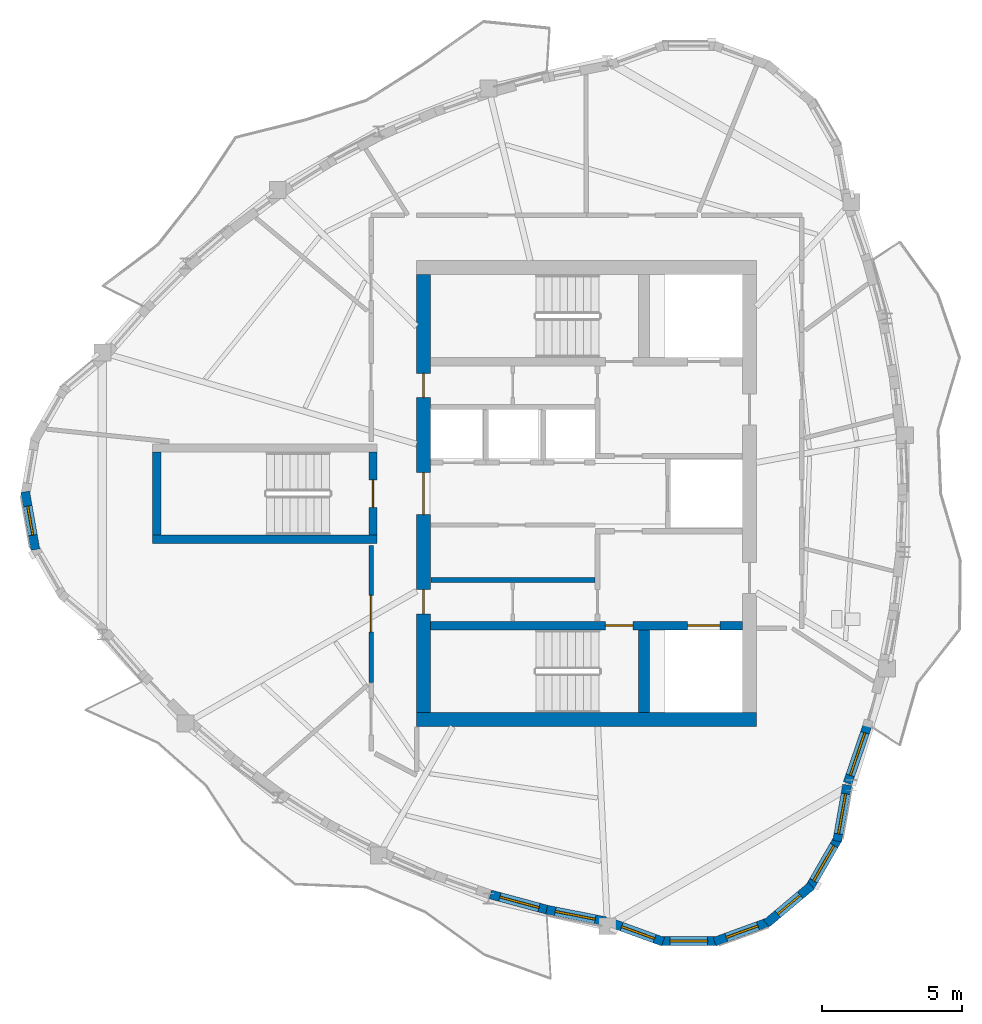
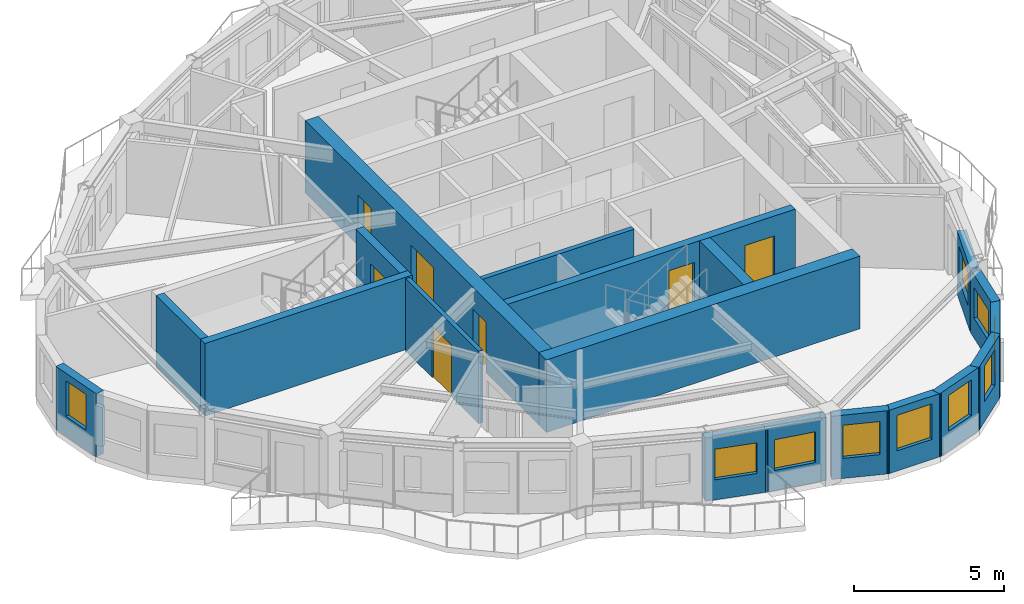
# One storey, part 3 of 11: 19 walls, 10 windows, 7 doors, 17 openings.
"""IFC4 building model written with IfcOpenShell, lengths in metres."""

from ifc_helpers import new_model, si_unit, direction, frame, frame_2d, origin, place, context, subcontext, project, spatial, rectangle, extrude, source, transform, mapped, material, layer, layer_set, type_object, element, fill, save


model = new_model("IFC4")

# Units and contexts
model_context = context("Model", 3, precision=1e-05, world=origin(), true_north=direction((0.0, 1.0)))
body_context = subcontext(model_context, "Body", "Model", "MODEL_VIEW")
ifc_project = project(units=[si_unit("LENGTHUNIT", "METRE"), si_unit("AREAUNIT", "SQUARE_METRE"), si_unit("VOLUMEUNIT", "CUBIC_METRE"), si_unit("PLANEANGLEUNIT", "RADIAN"), si_unit("MASSUNIT", "GRAM", prefix="KILO")], contexts=[model_context])

# Site, building, storey
site_placement = place(None, origin())
site = spatial("IfcSite", under=ifc_project, at=site_placement, CompositionType="ELEMENT")
building_placement = place(site_placement, origin())
building = spatial("IfcBuilding", under=site, at=building_placement, Name="Qafzar Sky-Pleat Residences", CompositionType="ELEMENT")
storey_placement = place(building_placement, frame((0.0, 0.0, 234.0)))
storey = spatial("IfcBuildingStorey", under=building, at=storey_placement, Name="L70", CompositionType="ELEMENT", Elevation=234.0)

# Wall, opening, door
ifc_material_1 = material(Name="Acoustic gypsum plasterboard partition", Category="gypsum")
ifc_layer_1 = layer(ifc_material_1, 0.159912109375)
ifc_layer_set_1 = layer_set([ifc_layer_1], Name="Acoustic gypsum plasterboard partition")
wall_type_1 = type_object("IfcWallType", Name="PART-COR-160", PredefinedType="PARTITIONING", material=ifc_layer_set_1)
wall_1_placement = place(storey_placement, frame((22.679931640625, 19.27099609375, 0.0), z_axis=(0.0, 0.0, 1.0), x_axis=(0.0, 1.0, 0.0)))
wall_1 = element("IfcWall", 1, at=wall_1_placement, inside=storey, type_object=wall_type_1, Name="L70 Partition Wall PART-L70-PW-002", PredefinedType="PARTITIONING", context=body_context, shape_type="SweptSolid", body=[
    extrude(rectangle(XDim=4.87890625, YDim=0.159912109375, at=frame_2d((2.439453125, 0.0))), origin(), (0.0, 0.0, 1.0), 2.9599609375),
])
opening_1_placement = place(wall_1_placement, frame((1.8076171875, 0.0, 0.0)))
opening_1 = element("IfcOpeningElement", 2, at=opening_1_placement, cuts=wall_1, Name="Opening ID-05", PredefinedType="OPENING", context=body_context, shape_type="SweptSolid", body=[
    extrude(rectangle(XDim=1.300048828125, YDim=2.10009765625, at=frame_2d((0.64990234375, 1.050048828125))), frame((0.0, 0.08984375, 0.0), z_axis=(0.0, -1.0, 0.0), x_axis=(1.0, 0.0, 0.0)), (0.0, 0.0, 1.0), 0.179931640625),
])
ifc_material_2 = material(Name="Timber-faced fire door", Category="wood")
door_type_1 = type_object("IfcDoorType", Name="DR-LNG-1300", OperationType="DOUBLE_DOOR_SINGLE_SWING", PredefinedType="DOOR", material=ifc_material_2)
shared_shape_1 = source(origin(), body_context, "Body", "SweptSolid", [
    extrude(rectangle(XDim=1.300048828125, YDim=2.10009765625, at=frame_2d((0.64990234375, 1.050048828125))), frame((0.0, 0.02490234375, 0.0), z_axis=(0.0, -1.0, 0.0), x_axis=(1.0, 0.0, 0.0)), (0.0, 0.0, 1.0), 0.050048828125),
])
door_1_placement = place(opening_1_placement, origin())
door_1 = element("IfcDoor", 3, at=door_1_placement, inside=storey, type_object=door_type_1, Name="L70 Tutorial Huddle Room Door", OperationType="DOUBLE_DOOR_SINGLE_SWING", OverallHeight=2.10009765625, OverallWidth=1.300048828125, PredefinedType="DOOR", context=body_context, shape_type="MappedRepresentation", body=[
    mapped(shared_shape_1, transform((0.0, 0.0, 0.0), x_axis=(1.0, 0.0, 0.0), y_axis=(0.0, 1.0, 0.0), z_axis=(0.0, 0.0, 1.0), scale=1.0)),
])
fill(opening_1, door_1)

# Wall
ifc_material_3 = material(Name="Concrete blockwork partition", Category="masonry")
ifc_layer_2 = layer(ifc_material_3, 0.179931640625)
ifc_layer_set_2 = layer_set([ifc_layer_2], Name="Concrete blockwork partition")
wall_type_2 = type_object("IfcWallType", Name="PART-SHAFT-180", PredefinedType="PARTITIONING", material=ifc_layer_set_2)
wall_2_placement = place(storey_placement, frame((24.81005859375, 22.919921875, 0.0), z_axis=(0.0, 0.0, 1.0), x_axis=(1.0, 0.0, 0.0)))
element("IfcWall", 4, at=wall_2_placement, inside=storey, type_object=wall_type_2, Name="L70 Partition Wall PART-L70-P13-S", PredefinedType="PARTITIONING", context=body_context, shape_type="SweptSolid", body=[
    extrude(rectangle(XDim=5.83984375, YDim=0.179931640625, at=frame_2d((2.919921875, 0.0))), origin(), (0.0, 0.0, 1.0), 2.9599609375),
])

# Wall, opening, window
ifc_material_4 = material(Name="Precast concrete C40/50 with honed Riyadh limestone", Category="concrete")
ifc_layer_3 = layer(ifc_material_4, 0.320068359375)
ifc_layer_set_3 = layer_set([ifc_layer_3], Name="Precast concrete C40/50 with honed Riyadh limestone")
wall_type_3 = type_object("IfcWallType", Name="WALL-EXT-320", PredefinedType="SOLIDWALL", material=ifc_layer_set_3)
wall_3_placement = place(storey_placement, frame((10.361083984375, 26.065185546875, 0.0), z_axis=(0.0, 0.0, 1.0), x_axis=(0.173672066494, -0.984803540469, 0.0)))
wall_3 = element("IfcWall", 5, at=wall_3_placement, inside=storey, type_object=wall_type_3, Name="L70 Limestone Facade Wall 4", PredefinedType="SOLIDWALL", context=body_context, shape_type="SweptSolid", body=[
    extrude(rectangle(XDim=2.09033203125, YDim=0.320068359375, at=frame_2d((1.045166015625, 0.0))), origin(), (0.0, 0.0, 1.0), 2.580078125),
])
opening_2_placement = place(wall_3_placement, frame((0.520263671875, 0.0, 0.820068359375)))
opening_2 = element("IfcOpeningElement", 6, at=opening_2_placement, cuts=wall_3, Name="Opening WN-06", PredefinedType="OPENING", context=body_context, shape_type="SweptSolid", body=[
    extrude(rectangle(XDim=1.050048828125, YDim=1.449951171875, at=frame_2d((0.52490234375, 0.72509765625))), frame((0.0, 0.169921875, 0.0), z_axis=(0.0, -1.0, 0.0), x_axis=(1.0, 0.0, 0.0)), (0.0, 0.0, 1.0), 0.340087890625),
])
ifc_material_5 = material(Name="Solar-control low-E glass in bronze aluminium frame", Category="glass")
window_type_1 = type_object("IfcWindowType", Name="WIN-06", PartitioningType="SINGLE_PANEL", PredefinedType="WINDOW", material=ifc_material_5)
shared_shape_2 = source(origin(), body_context, "Body", "SweptSolid", [
    extrude(rectangle(XDim=1.050048828125, YDim=1.449951171875, at=frame_2d((0.52490234375, 0.72509765625))), frame((0.0, 0.030029296875, 0.0), z_axis=(0.0, -1.0, 0.0), x_axis=(1.0, 0.0, 0.0)), (0.0, 0.0, 1.0), 0.06005859375),
])
window_1_placement = place(opening_2_placement, origin())
window_1 = element("IfcWindow", 7, at=window_1_placement, inside=storey, type_object=window_type_1, Name="L70 Punched Facade Window 04", OverallHeight=1.449951171875, OverallWidth=1.050048828125, PartitioningType="SINGLE_PANEL", PredefinedType="WINDOW", context=body_context, shape_type="MappedRepresentation", body=[
    mapped(shared_shape_2, transform((0.0, 0.0, 0.0), x_axis=(1.0, 0.0, 0.0), y_axis=(0.0, 1.0, 0.0), z_axis=(0.0, 0.0, 1.0), scale=1.0)),
])
fill(opening_2, window_1)

wall_4_placement = place(storey_placement, frame((26.927734375, 11.725830078125, 0.0), z_axis=(0.0, 0.0, 1.0), x_axis=(0.965475284531, -0.260494673572, 0.0)))
wall_4 = element("IfcWall", 8, at=wall_4_placement, inside=storey, type_object=wall_type_3, Name="L70 Limestone Facade Wall 15", PredefinedType="SOLIDWALL", context=body_context, shape_type="SweptSolid", body=[
    extrude(rectangle(XDim=2.166748046875, YDim=0.320068359375, at=frame_2d((1.08349609375, 0.0))), origin(), (0.0, 0.0, 1.0), 2.580078125),
])
opening_3_placement = place(wall_4_placement, frame((0.348388671875, 0.0, 0.820068359375)))
opening_3 = element("IfcOpeningElement", 9, at=opening_3_placement, cuts=wall_4, Name="Opening WN-15", PredefinedType="OPENING", context=body_context, shape_type="SweptSolid", body=[
    extrude(rectangle(XDim=1.449951171875, YDim=1.25, at=frame_2d((0.72509765625, 0.625))), frame((0.0, 0.169921875, 0.0), z_axis=(0.0, -1.0, 0.0), x_axis=(1.0, 0.0, 0.0)), (0.0, 0.0, 1.0), 0.340087890625),
])
window_type_2 = type_object("IfcWindowType", Name="WIN-15", PartitioningType="SINGLE_PANEL", PredefinedType="WINDOW", material=ifc_material_5)
shared_shape_3 = source(origin(), body_context, "Body", "SweptSolid", [
    extrude(rectangle(XDim=1.449951171875, YDim=1.25, at=frame_2d((0.72509765625, 0.625))), frame((0.0, 0.030029296875, 0.0), z_axis=(0.0, -1.0, 0.0), x_axis=(1.0, 0.0, 0.0)), (0.0, 0.0, 1.0), 0.06005859375),
])
window_2_placement = place(opening_3_placement, origin())
window_2 = element("IfcWindow", 10, at=window_2_placement, inside=storey, type_object=window_type_2, Name="L70 Punched Facade Window 15", OverallHeight=1.25, OverallWidth=1.449951171875, PartitioningType="SINGLE_PANEL", PredefinedType="WINDOW", context=body_context, shape_type="MappedRepresentation", body=[
    mapped(shared_shape_3, transform((0.0, 0.0, 0.0), x_axis=(1.0, 0.0, 0.0), y_axis=(0.0, 1.0, 0.0), z_axis=(0.0, 0.0, 1.0), scale=1.0)),
])
fill(opening_3, window_2)

wall_5_placement = place(storey_placement, frame((28.93505859375, 11.180908203125, 0.0), z_axis=(0.0, 0.0, 1.0), x_axis=(0.981241123534, -0.192784484559, 0.0)))
wall_5 = element("IfcWall", 11, at=wall_5_placement, inside=storey, type_object=wall_type_3, Name="L70 Limestone Facade Wall 16", PredefinedType="SOLIDWALL", context=body_context, shape_type="SweptSolid", body=[
    extrude(rectangle(XDim=2.142822265625, YDim=0.320068359375, at=frame_2d((1.0712890625, 0.0))), origin(), (0.0, 0.0, 1.0), 2.580078125),
])
opening_4_placement = place(wall_5_placement, frame((0.311279296875, 0.0, 0.820068359375)))
opening_4 = element("IfcOpeningElement", 12, at=opening_4_placement, cuts=wall_5, Name="Opening WN-15", PredefinedType="OPENING", context=body_context, shape_type="SweptSolid", body=[
    extrude(rectangle(XDim=1.449951171875, YDim=1.25, at=frame_2d((0.72509765625, 0.625))), frame((0.0, 0.169921875, 0.0), z_axis=(0.0, -1.0, 0.0), x_axis=(1.0, 0.0, 0.0)), (0.0, 0.0, 1.0), 0.340087890625),
])
window_3_placement = place(opening_4_placement, origin())
window_3 = element("IfcWindow", 13, at=window_3_placement, inside=storey, type_object=window_type_2, Name="L70 Punched Facade Window 16", OverallHeight=1.25, OverallWidth=1.449951171875, PartitioningType="SINGLE_PANEL", PredefinedType="WINDOW", context=body_context, shape_type="MappedRepresentation", body=[
    mapped(shared_shape_3, transform((0.0, 0.0, 0.0), x_axis=(1.0, 0.0, 0.0), y_axis=(0.0, 1.0, 0.0), z_axis=(0.0, 0.0, 1.0), scale=1.0)),
])
fill(opening_4, window_3)

wall_6_placement = place(storey_placement, frame((31.234375, 10.712890625, 0.0), z_axis=(0.0, 0.0, 1.0), x_axis=(0.939720740429, -0.341942875357, 0.0)))
wall_6 = element("IfcWall", 14, at=wall_6_placement, inside=storey, type_object=wall_type_3, Name="L70 Limestone Facade Wall 17", PredefinedType="SOLIDWALL", context=body_context, shape_type="SweptSolid", body=[
    extrude(rectangle(XDim=1.9619140625, YDim=0.320068359375, at=frame_2d((0.98095703125, 0.0))), origin(), (0.0, 0.0, 1.0), 2.580078125),
])
opening_5_placement = place(wall_6_placement, frame((0.39111328125, 0.0, 0.820068359375)))
opening_5 = element("IfcOpeningElement", 15, at=opening_5_placement, cuts=wall_6, Name="Opening WN-11", PredefinedType="OPENING", context=body_context, shape_type="SweptSolid", body=[
    extrude(rectangle(XDim=1.25, YDim=1.35009765625, at=frame_2d((0.625, 0.675048828125))), frame((0.0, 0.169921875, 0.0), z_axis=(0.0, -1.0, 0.0), x_axis=(1.0, 0.0, 0.0)), (0.0, 0.0, 1.0), 0.340087890625),
])
window_type_3 = type_object("IfcWindowType", Name="WIN-11", PartitioningType="SINGLE_PANEL", PredefinedType="WINDOW", material=ifc_material_5)
shared_shape_4 = source(origin(), body_context, "Body", "SweptSolid", [
    extrude(rectangle(XDim=1.25, YDim=1.35009765625, at=frame_2d((0.625, 0.675048828125))), frame((0.0, 0.030029296875, 0.0), z_axis=(0.0, -1.0, 0.0), x_axis=(1.0, 0.0, 0.0)), (0.0, 0.0, 1.0), 0.06005859375),
])
window_4_placement = place(opening_5_placement, origin())
window_4 = element("IfcWindow", 16, at=window_4_placement, inside=storey, type_object=window_type_3, Name="L70 Punched Facade Window 17", OverallHeight=1.35009765625, OverallWidth=1.25, PartitioningType="SINGLE_PANEL", PredefinedType="WINDOW", context=body_context, shape_type="MappedRepresentation", body=[
    mapped(shared_shape_4, transform((0.0, 0.0, 0.0), x_axis=(1.0, 0.0, 0.0), y_axis=(0.0, 1.0, 0.0), z_axis=(0.0, 0.0, 1.0), scale=1.0)),
])
fill(opening_5, window_4)

wall_7_placement = place(storey_placement, frame((32.94970703125, 10.064453125, 0.0), z_axis=(0.0, 0.0, 1.0), x_axis=(1.0, 0.0, 0.0)))
wall_7 = element("IfcWall", 17, at=wall_7_placement, inside=storey, type_object=wall_type_3, Name="L70 Limestone Facade Wall 18", PredefinedType="SOLIDWALL", context=body_context, shape_type="SweptSolid", body=[
    extrude(rectangle(XDim=2.090576171875, YDim=0.320068359375, at=frame_2d((1.04541015625, 0.0))), origin(), (0.0, 0.0, 1.0), 2.580078125),
])
opening_6_placement = place(wall_7_placement, frame((0.3701171875, 0.0, 0.820068359375)))
opening_6 = element("IfcOpeningElement", 18, at=opening_6_placement, cuts=wall_7, Name="Opening WN-04", PredefinedType="OPENING", context=body_context, shape_type="SweptSolid", body=[
    extrude(rectangle(XDim=1.35009765625, YDim=1.449951171875, at=frame_2d((0.675048828125, 0.72509765625))), frame((0.0, 0.169921875, 0.0), z_axis=(0.0, -1.0, 0.0), x_axis=(1.0, 0.0, 0.0)), (0.0, 0.0, 1.0), 0.340087890625),
])
window_type_4 = type_object("IfcWindowType", Name="WIN-04", PartitioningType="SINGLE_PANEL", PredefinedType="WINDOW", material=ifc_material_5)
shared_shape_5 = source(origin(), body_context, "Body", "SweptSolid", [
    extrude(rectangle(XDim=1.35009765625, YDim=1.449951171875, at=frame_2d((0.675048828125, 0.72509765625))), frame((0.0, 0.030029296875, 0.0), z_axis=(0.0, -1.0, 0.0), x_axis=(1.0, 0.0, 0.0)), (0.0, 0.0, 1.0), 0.06005859375),
])
window_5_placement = place(opening_6_placement, origin())
window_5 = element("IfcWindow", 19, at=window_5_placement, inside=storey, type_object=window_type_4, Name="L70 Punched Facade Window 18", OverallHeight=1.449951171875, OverallWidth=1.35009765625, PartitioningType="SINGLE_PANEL", PredefinedType="WINDOW", context=body_context, shape_type="MappedRepresentation", body=[
    mapped(shared_shape_5, transform((0.0, 0.0, 0.0), x_axis=(1.0, 0.0, 0.0), y_axis=(0.0, 1.0, 0.0), z_axis=(0.0, 0.0, 1.0), scale=1.0)),
])
fill(opening_6, window_5)

wall_8_placement = place(storey_placement, frame((34.911865234375, 10.0419921875, 0.0), z_axis=(0.0, 0.0, 1.0), x_axis=(0.93973543134, 0.341902499383, 0.0)))
wall_8 = element("IfcWall", 20, at=wall_8_placement, inside=storey, type_object=wall_type_3, Name="L70 Limestone Facade Wall 19", PredefinedType="SOLIDWALL", context=body_context, shape_type="SweptSolid", body=[
    extrude(rectangle(XDim=2.090087890625, YDim=0.320068359375, at=frame_2d((1.044921875, 0.0))), origin(), (0.0, 0.0, 1.0), 2.580078125),
])
opening_7_placement = place(wall_8_placement, frame((0.445068359375, 0.0, 0.820068359375)))
opening_7 = element("IfcOpeningElement", 21, at=opening_7_placement, cuts=wall_8, Name="Opening WN-05", PredefinedType="OPENING", context=body_context, shape_type="SweptSolid", body=[
    extrude(rectangle(XDim=1.199951171875, YDim=1.449951171875, at=frame_2d((0.60009765625, 0.72509765625))), frame((0.0, 0.169921875, 0.0), z_axis=(0.0, -1.0, 0.0), x_axis=(1.0, 0.0, 0.0)), (0.0, 0.0, 1.0), 0.340087890625),
])
window_type_5 = type_object("IfcWindowType", Name="WIN-05", PartitioningType="SINGLE_PANEL", PredefinedType="WINDOW", material=ifc_material_5)
shared_shape_6 = source(origin(), body_context, "Body", "SweptSolid", [
    extrude(rectangle(XDim=1.199951171875, YDim=1.449951171875, at=frame_2d((0.60009765625, 0.72509765625))), frame((0.0, 0.030029296875, 0.0), z_axis=(0.0, -1.0, 0.0), x_axis=(1.0, 0.0, 0.0)), (0.0, 0.0, 1.0), 0.06005859375),
])
window_6_placement = place(opening_7_placement, origin())
window_6 = element("IfcWindow", 22, at=window_6_placement, inside=storey, type_object=window_type_5, Name="L70 Punched Facade Window 19", OverallHeight=1.449951171875, OverallWidth=1.199951171875, PartitioningType="SINGLE_PANEL", PredefinedType="WINDOW", context=body_context, shape_type="MappedRepresentation", body=[
    mapped(shared_shape_6, transform((0.0, 0.0, 0.0), x_axis=(1.0, 0.0, 0.0), y_axis=(0.0, 1.0, 0.0), z_axis=(0.0, 0.0, 1.0), scale=1.0)),
])
fill(opening_7, window_6)

wall_9_placement = place(storey_placement, frame((36.762939453125, 10.69140625, 0.0), z_axis=(0.0, 0.0, 1.0), x_axis=(0.766072824549, 0.642753784499, 0.0)))
wall_9 = element("IfcWall", 23, at=wall_9_placement, inside=storey, type_object=wall_type_3, Name="L70 Limestone Facade Wall 20", PredefinedType="SOLIDWALL", context=body_context, shape_type="SweptSolid", body=[
    extrude(rectangle(XDim=2.090576171875, YDim=0.320068359375, at=frame_2d((1.04541015625, 0.0))), origin(), (0.0, 0.0, 1.0), 2.580078125),
])
opening_8_placement = place(wall_9_placement, frame((0.520263671875, 0.0, 0.820068359375)))
opening_8 = element("IfcOpeningElement", 24, at=opening_8_placement, cuts=wall_9, Name="Opening WN-06", PredefinedType="OPENING", context=body_context, shape_type="SweptSolid", body=[
    extrude(rectangle(XDim=1.050048828125, YDim=1.449951171875, at=frame_2d((0.52490234375, 0.72509765625))), frame((0.0, 0.169921875, 0.0), z_axis=(0.0, -1.0, 0.0), x_axis=(1.0, 0.0, 0.0)), (0.0, 0.0, 1.0), 0.340087890625),
])
window_7_placement = place(opening_8_placement, origin())
window_7 = element("IfcWindow", 25, at=window_7_placement, inside=storey, type_object=window_type_1, Name="L70 Punched Facade Window 20", OverallHeight=1.449951171875, OverallWidth=1.050048828125, PartitioningType="SINGLE_PANEL", PredefinedType="WINDOW", context=body_context, shape_type="MappedRepresentation", body=[
    mapped(shared_shape_2, transform((0.0, 0.0, 0.0), x_axis=(1.0, 0.0, 0.0), y_axis=(0.0, 1.0, 0.0), z_axis=(0.0, 0.0, 1.0), scale=1.0)),
])
fill(opening_8, window_7)

wall_10_placement = place(storey_placement, frame((38.280517578125, 11.935302734375, 0.0), z_axis=(0.0, 0.0, 1.0), x_axis=(0.499995423472, 0.866028046028, 0.0)))
wall_10 = element("IfcWall", 26, at=wall_10_placement, inside=storey, type_object=wall_type_3, Name="L70 Limestone Facade Wall 21", PredefinedType="SOLIDWALL", context=body_context, shape_type="SweptSolid", body=[
    extrude(rectangle(XDim=2.09033203125, YDim=0.320068359375, at=frame_2d((1.045166015625, 0.0))), origin(), (0.0, 0.0, 1.0), 2.580078125),
])
opening_9_placement = place(wall_10_placement, frame((0.320068359375, 0.0, 0.820068359375)))
opening_9 = element("IfcOpeningElement", 27, at=opening_9_placement, cuts=wall_10, Name="Opening WN-15", PredefinedType="OPENING", context=body_context, shape_type="SweptSolid", body=[
    extrude(rectangle(XDim=1.449951171875, YDim=1.25, at=frame_2d((0.72509765625, 0.625))), frame((0.0, 0.169921875, 0.0), z_axis=(0.0, -1.0, 0.0), x_axis=(1.0, 0.0, 0.0)), (0.0, 0.0, 1.0), 0.340087890625),
])
window_8_placement = place(opening_9_placement, origin())
window_8 = element("IfcWindow", 28, at=window_8_placement, inside=storey, type_object=window_type_2, Name="L70 Punched Facade Window 21", OverallHeight=1.25, OverallWidth=1.449951171875, PartitioningType="SINGLE_PANEL", PredefinedType="WINDOW", context=body_context, shape_type="MappedRepresentation", body=[
    mapped(shared_shape_3, transform((0.0, 0.0, 0.0), x_axis=(1.0, 0.0, 0.0), y_axis=(0.0, 1.0, 0.0), z_axis=(0.0, 0.0, 1.0), scale=1.0)),
])
fill(opening_9, window_8)

wall_11_placement = place(storey_placement, frame((39.281005859375, 13.623046875, 0.0), z_axis=(0.0, 0.0, 1.0), x_axis=(0.17370309897, 0.984798067326, 0.0)))
wall_11 = element("IfcWall", 29, at=wall_11_placement, inside=storey, type_object=wall_type_3, Name="L70 Limestone Facade Wall 22", PredefinedType="SOLIDWALL", context=body_context, shape_type="SweptSolid", body=[
    extrude(rectangle(XDim=2.032470703125, YDim=0.320068359375, at=frame_2d((1.01611328125, 0.0))), origin(), (0.0, 0.0, 1.0), 2.580078125),
])
opening_10_placement = place(wall_11_placement, frame((0.26123046875, 0.0, 0.820068359375)))
opening_10 = element("IfcOpeningElement", 30, at=opening_10_placement, cuts=wall_11, Name="Opening WN-15", PredefinedType="OPENING", context=body_context, shape_type="SweptSolid", body=[
    extrude(rectangle(XDim=1.449951171875, YDim=1.25, at=frame_2d((0.72509765625, 0.625))), frame((0.0, 0.169921875, 0.0), z_axis=(0.0, -1.0, 0.0), x_axis=(1.0, 0.0, 0.0)), (0.0, 0.0, 1.0), 0.340087890625),
])
window_9_placement = place(opening_10_placement, origin())
window_9 = element("IfcWindow", 31, at=window_9_placement, inside=storey, type_object=window_type_2, Name="L70 Punched Facade Window 22", OverallHeight=1.25, OverallWidth=1.449951171875, PartitioningType="SINGLE_PANEL", PredefinedType="WINDOW", context=body_context, shape_type="MappedRepresentation", body=[
    mapped(shared_shape_3, transform((0.0, 0.0, 0.0), x_axis=(1.0, 0.0, 0.0), y_axis=(0.0, 1.0, 0.0), z_axis=(0.0, 0.0, 1.0), scale=1.0)),
])
fill(opening_10, window_9)

wall_12_placement = place(storey_placement, frame((39.650146484375, 15.68701171875, 0.0), z_axis=(0.0, 0.0, 1.0), x_axis=(0.323599303824, 0.946194213978, 0.0)))
wall_12 = element("IfcWall", 32, at=wall_12_placement, inside=storey, type_object=wall_type_3, Name="L70 Limestone Facade Wall 23", PredefinedType="SOLIDWALL", context=body_context, shape_type="SweptSolid", body=[
    extrude(rectangle(XDim=2.212890625, YDim=0.320068359375, at=frame_2d((1.1064453125, 0.0))), origin(), (0.0, 0.0, 1.0), 2.580078125),
])
opening_11_placement = place(wall_12_placement, frame((0.29638671875, 0.0, 0.820068359375)))
opening_11 = element("IfcOpeningElement", 33, at=opening_11_placement, cuts=wall_12, Name="Opening WN-09", PredefinedType="OPENING", context=body_context, shape_type="SweptSolid", body=[
    extrude(rectangle(XDim=1.60009765625, YDim=1.35009765625, at=frame_2d((0.800048828125, 0.675048828125))), frame((0.0, 0.169921875, 0.0), z_axis=(0.0, -1.0, 0.0), x_axis=(1.0, 0.0, 0.0)), (0.0, 0.0, 1.0), 0.340087890625),
])
window_type_6 = type_object("IfcWindowType", Name="WIN-09", PartitioningType="DOUBLE_PANEL_VERTICAL", PredefinedType="WINDOW", material=ifc_material_5)
shared_shape_7 = source(origin(), body_context, "Body", "SweptSolid", [
    extrude(rectangle(XDim=1.60009765625, YDim=1.35009765625, at=frame_2d((0.800048828125, 0.675048828125))), frame((0.0, 0.030029296875, 0.0), z_axis=(0.0, -1.0, 0.0), x_axis=(1.0, 0.0, 0.0)), (0.0, 0.0, 1.0), 0.06005859375),
])
window_10_placement = place(opening_11_placement, origin())
window_10 = element("IfcWindow", 34, at=window_10_placement, inside=storey, type_object=window_type_6, Name="L70 Punched Facade Window 23", OverallHeight=1.35009765625, OverallWidth=1.60009765625, PartitioningType="SINGLE_PANEL", PredefinedType="WINDOW", context=body_context, shape_type="MappedRepresentation", body=[
    mapped(shared_shape_7, transform((0.0, 0.0, 0.0), x_axis=(1.0, 0.0, 0.0), y_axis=(0.0, 1.0, 0.0), z_axis=(0.0, 0.0, 1.0), scale=1.0)),
])
fill(opening_11, window_10)

# Wall, openings, doors
ifc_material_6 = material(Name="Concrete C60/75", Category="concrete")
ifc_layer_4 = layer(ifc_material_6, 0.300048828125)
ifc_layer_set_4 = layer_set([ifc_layer_4], Name="Concrete C60/75")
wall_type_4 = type_object("IfcWallType", Name="WALL-SHEAR-300", PredefinedType="SHEAR", material=ifc_layer_set_4)
wall_13_placement = place(storey_placement, frame((24.800048828125, 21.300048828125, 0.0), z_axis=(0.0, 0.0, 1.0), x_axis=(1.0, 0.0, 0.0)))
wall_13 = element("IfcWall", 35, at=wall_13_placement, inside=storey, type_object=wall_type_4, Name="L70 Stair ST1 and FF1 Shaft North Wall", PredefinedType="SHEAR", context=body_context, shape_type="SweptSolid", body=[
    extrude(rectangle(XDim=11.099853515625, YDim=0.300048828125, at=frame_2d((5.5498046875, 0.0))), origin(), (0.0, 0.0, 1.0), 2.9599609375),
])
opening_12_placement = place(wall_13_placement, frame((6.219970703125, 0.0, 0.0)))
opening_12 = element("IfcOpeningElement", 36, at=opening_12_placement, cuts=wall_13, Name="Opening ID-01", PredefinedType="OPENING", context=body_context, shape_type="SweptSolid", body=[
    extrude(rectangle(XDim=0.97998046875, YDim=2.14990234375, at=frame_2d((0.489990234375, 1.074951171875))), frame((0.0, 0.16015625, 0.0), z_axis=(0.0, -1.0, 0.0), x_axis=(1.0, 0.0, 0.0)), (0.0, 0.0, 1.0), 0.320068359375),
])
opening_13_placement = place(wall_13_placement, frame((9.14990234375, 0.0, 0.0)))
opening_13 = element("IfcOpeningElement", 37, at=opening_13_placement, cuts=wall_13, Name="Opening LD-02", PredefinedType="OPENING", context=body_context, shape_type="SweptSolid", body=[
    extrude(rectangle(XDim=1.14990234375, YDim=2.14990234375, at=frame_2d((0.574951171875, 1.074951171875))), frame((0.0, 0.16015625, 0.0), z_axis=(0.0, -1.0, 0.0), x_axis=(1.0, 0.0, 0.0)), (0.0, 0.0, 1.0), 0.320068359375),
])
door_type_2 = type_object("IfcDoorType", Name="DR-STAIR-980", OperationType="NOTDEFINED", PredefinedType="DOOR", material=ifc_material_2)
shared_shape_8 = source(origin(), body_context, "Body", "SweptSolid", [
    extrude(rectangle(XDim=0.97998046875, YDim=2.14990234375, at=frame_2d((0.489990234375, 1.074951171875))), frame((0.0, 0.02490234375, 0.0), z_axis=(0.0, -1.0, 0.0), x_axis=(1.0, 0.0, 0.0)), (0.0, 0.0, 1.0), 0.050048828125),
])
door_2_placement = place(opening_12_placement, origin())
door_2 = element("IfcDoor", 38, at=door_2_placement, inside=storey, type_object=door_type_2, Name="L70 Stair ST1 Fire Door", OperationType="SINGLE_SWING_LEFT", OverallHeight=2.14990234375, OverallWidth=0.97998046875, PredefinedType="DOOR", context=body_context, shape_type="MappedRepresentation", body=[
    mapped(shared_shape_8, transform((0.0, 0.0, 0.0), x_axis=(1.0, 0.0, 0.0), y_axis=(0.0, 1.0, 0.0), z_axis=(0.0, 0.0, 1.0), scale=1.0)),
])
fill(opening_12, door_2)
ifc_material_7 = material(Name="Stainless steel sliding landing door", Category="steel")
door_type_3 = type_object("IfcDoorType", Name="DR-LIFT-FF", OperationType="DOUBLE_DOOR_SLIDING", PredefinedType="DOOR", material=ifc_material_7)
shared_shape_9 = source(origin(), body_context, "Body", "SweptSolid", [
    extrude(rectangle(XDim=1.14990234375, YDim=2.14990234375, at=frame_2d((0.574951171875, 1.074951171875))), frame((0.0, 0.02490234375, 0.0), z_axis=(0.0, -1.0, 0.0), x_axis=(1.0, 0.0, 0.0)), (0.0, 0.0, 1.0), 0.050048828125),
])
door_3_placement = place(opening_13_placement, origin())
door_3 = element("IfcDoor", 39, at=door_3_placement, inside=storey, type_object=door_type_3, Name="L70 Firefighting Lift FF1 Landing Door", OperationType="DOUBLE_DOOR_SLIDING", OverallHeight=2.14990234375, OverallWidth=1.14990234375, PredefinedType="DOOR", context=body_context, shape_type="MappedRepresentation", body=[
    mapped(shared_shape_9, transform((0.0, 0.0, 0.0), x_axis=(1.0, 0.0, 0.0), y_axis=(0.0, 1.0, 0.0), z_axis=(0.0, 0.0, 1.0), scale=1.0)),
])
fill(opening_13, door_3)

# Walls
wall_14_placement = place(storey_placement, frame((14.89990234375, 24.375, 0.0), z_axis=(0.0, 0.0, 1.0), x_axis=(1.0, 0.0, 0.0)))
element("IfcWall", 40, at=wall_14_placement, inside=storey, type_object=wall_type_4, Name="L70 ST3 wall S", PredefinedType="SHEAR", context=body_context, shape_type="SweptSolid", body=[
    extrude(rectangle(XDim=8.0, YDim=0.300048828125, at=frame_2d((4.0, 0.0))), origin(), (0.0, 0.0, 1.0), 2.9599609375),
])
wall_15_placement = place(storey_placement, frame((15.050048828125, 27.47509765625, 0.0), z_axis=(0.0, 0.0, 1.0), x_axis=(0.0, -1.0, 0.0)))
element("IfcWall", 41, at=wall_15_placement, inside=storey, type_object=wall_type_4, Name="L70 ST3 wall W", PredefinedType="SHEAR", context=body_context, shape_type="SweptSolid", body=[
    extrude(rectangle(XDim=2.9501953125, YDim=0.300048828125, at=frame_2d((1.47509765625, 0.0))), origin(), (0.0, 0.0, 1.0), 2.9599609375),
])

# Wall, opening, door
wall_16_placement = place(storey_placement, frame((22.75, 24.52490234375, 0.0), z_axis=(0.0, 0.0, 1.0), x_axis=(0.0, 1.0, 0.0)))
wall_16 = element("IfcWall", 42, at=wall_16_placement, inside=storey, type_object=wall_type_4, Name="L70 ST3 wall E", PredefinedType="SHEAR", context=body_context, shape_type="SweptSolid", body=[
    extrude(rectangle(XDim=2.9501953125, YDim=0.300048828125, at=frame_2d((1.47509765625, 0.0))), origin(), (0.0, 0.0, 1.0), 2.9599609375),
])
opening_14_placement = place(wall_16_placement, frame((0.985107421875, 0.0, 0.0)))
opening_14 = element("IfcOpeningElement", 43, at=opening_14_placement, cuts=wall_16, Name="Opening ID-01", PredefinedType="OPENING", context=body_context, shape_type="SweptSolid", body=[
    extrude(rectangle(XDim=0.97998046875, YDim=2.14990234375, at=frame_2d((0.489990234375, 1.074951171875))), frame((0.0, 0.16015625, 0.0), z_axis=(0.0, -1.0, 0.0), x_axis=(1.0, 0.0, 0.0)), (0.0, 0.0, 1.0), 0.320068359375),
])
door_4_placement = place(opening_14_placement, origin())
door_4 = element("IfcDoor", 44, at=door_4_placement, inside=storey, type_object=door_type_2, Name="L70 Stair ST3 Fire Door", OperationType="SINGLE_SWING_LEFT", OverallHeight=2.14990234375, OverallWidth=0.97998046875, PredefinedType="DOOR", context=body_context, shape_type="MappedRepresentation", body=[
    mapped(shared_shape_8, transform((0.0, 0.0, 0.0), x_axis=(1.0, 0.0, 0.0), y_axis=(0.0, 1.0, 0.0), z_axis=(0.0, 0.0, 1.0), scale=1.0)),
])
fill(opening_14, door_4)

# Walls
ifc_layer_5 = layer(ifc_material_6, 0.39990234375)
ifc_layer_set_5 = layer_set([ifc_layer_5], Name="Concrete C60/75")
wall_type_5 = type_object("IfcWallType", Name="WALL-SHEAR-400", PredefinedType="SHEAR", material=ifc_layer_set_5)
wall_17_placement = place(storey_placement, frame((32.39990234375, 18.199951171875, 0.0), z_axis=(0.0, 0.0, 1.0), x_axis=(0.0, 1.0, 0.0)))
element("IfcWall", 45, at=wall_17_placement, inside=storey, type_object=wall_type_5, Name="L70 Stair ST1 East Dividing Wall", PredefinedType="SHEAR", context=body_context, shape_type="SweptSolid", body=[
    extrude(rectangle(XDim=2.949951171875, YDim=0.39990234375, at=frame_2d((1.47509765625, 0.0))), origin(), (0.0, 0.0, 1.0), 2.9599609375),
])
ifc_layer_6 = layer(ifc_material_6, 0.5)
ifc_layer_set_6 = layer_set([ifc_layer_6], Name="Concrete C60/75")
wall_type_6 = type_object("IfcWallType", Name="WALL-SHEAR-500", PredefinedType="SHEAR", material=ifc_layer_set_6)
wall_18_placement = place(storey_placement, frame((24.300048828125, 17.949951171875, 0.0), z_axis=(0.0, 0.0, 1.0), x_axis=(1.0, 0.0, 0.0)))
element("IfcWall", 46, at=wall_18_placement, inside=storey, type_object=wall_type_6, Name="L70 CORE wall S", PredefinedType="SHEAR", context=body_context, shape_type="SweptSolid", body=[
    extrude(rectangle(XDim=12.099853515625, YDim=0.5, at=frame_2d((6.0498046875, 0.0))), origin(), (0.0, 0.0, 1.0), 2.9599609375),
])

# Wall, openings, doors
wall_19_placement = place(storey_placement, frame((24.550048828125, 33.800048828125, 0.0), z_axis=(0.0, 0.0, 1.0), x_axis=(0.0, -1.0, 0.0)))
wall_19 = element("IfcWall", 47, at=wall_19_placement, inside=storey, type_object=wall_type_6, Name="L70 CORE wall W", PredefinedType="SHEAR", context=body_context, shape_type="SweptSolid", body=[
    extrude(rectangle(XDim=15.60009765625, YDim=0.5, at=frame_2d((7.800048828125, 0.0))), origin(), (0.0, 0.0, 1.0), 2.9599609375),
])
opening_15_placement = place(wall_19_placement, frame((7.050048828125, 0.0, 0.0)))
opening_15 = element("IfcOpeningElement", 48, at=opening_15_placement, cuts=wall_19, Name="Opening ID-03", PredefinedType="OPENING", context=body_context, shape_type="SweptSolid", body=[
    extrude(rectangle(XDim=1.5, YDim=2.14990234375, at=frame_2d((0.75, 1.074951171875))), frame((0.0, 0.260009765625, 0.0), z_axis=(0.0, -1.0, 0.0), x_axis=(1.0, 0.0, 0.0)), (0.0, 0.0, 1.0), 0.52001953125),
])
opening_16_placement = place(wall_19_placement, frame((3.52001953125, 0.0, 0.0)))
opening_16 = element("IfcOpeningElement", 49, at=opening_16_placement, cuts=wall_19, Name="Opening ID-09", PredefinedType="OPENING", context=body_context, shape_type="SweptSolid", body=[
    extrude(rectangle(XDim=0.860107421875, YDim=2.050048828125, at=frame_2d((0.43017578125, 1.02490234375))), frame((0.0, 0.260009765625, 0.0), z_axis=(0.0, -1.0, 0.0), x_axis=(1.0, 0.0, 0.0)), (0.0, 0.0, 1.0), 0.52001953125),
])
opening_17_placement = place(wall_19_placement, frame((11.219970703125, 0.0, 0.0)))
opening_17 = element("IfcOpeningElement", 50, at=opening_17_placement, cuts=wall_19, Name="Opening ID-09", PredefinedType="OPENING", context=body_context, shape_type="SweptSolid", body=[
    extrude(rectangle(XDim=0.860107421875, YDim=2.050048828125, at=frame_2d((0.43017578125, 1.02490234375))), frame((0.0, 0.260009765625, 0.0), z_axis=(0.0, -1.0, 0.0), x_axis=(1.0, 0.0, 0.0)), (0.0, 0.0, 1.0), 0.52001953125),
])
door_type_4 = type_object("IfcDoorType", Name="DR-COR-1500", OperationType="DOUBLE_DOOR_SINGLE_SWING", PredefinedType="DOOR", material=ifc_material_2)
shared_shape_10 = source(origin(), body_context, "Body", "SweptSolid", [
    extrude(rectangle(XDim=1.5, YDim=2.14990234375, at=frame_2d((0.75, 1.074951171875))), frame((0.0, 0.02490234375, 0.0), z_axis=(0.0, -1.0, 0.0), x_axis=(1.0, 0.0, 0.0)), (0.0, 0.0, 1.0), 0.050048828125),
])
door_5_placement = place(opening_15_placement, origin())
door_5 = element("IfcDoor", 51, at=door_5_placement, inside=storey, type_object=door_type_4, Name="L70 Lift Lobby West Double Door", OperationType="DOUBLE_DOOR_SINGLE_SWING", OverallHeight=2.14990234375, OverallWidth=1.5, PredefinedType="DOOR", context=body_context, shape_type="MappedRepresentation", body=[
    mapped(shared_shape_10, transform((0.0, 0.0, 0.0), x_axis=(1.0, 0.0, 0.0), y_axis=(0.0, 1.0, 0.0), z_axis=(0.0, 0.0, 1.0), scale=1.0)),
])
fill(opening_15, door_5)
door_type_5 = type_object("IfcDoorType", Name="DR-SVC-860", OperationType="NOTDEFINED", PredefinedType="DOOR", material=ifc_material_2)
shared_shape_11 = source(origin(), body_context, "Body", "SweptSolid", [
    extrude(rectangle(XDim=0.860107421875, YDim=2.050048828125, at=frame_2d((0.43017578125, 1.02490234375))), frame((0.0, 0.02490234375, 0.0), z_axis=(0.0, -1.0, 0.0), x_axis=(1.0, 0.0, 0.0)), (0.0, 0.0, 1.0), 0.050048828125),
])
door_6_placement = place(opening_16_placement, origin())
door_6 = element("IfcDoor", 52, at=door_6_placement, inside=storey, type_object=door_type_5, Name="L70 Core North-West Service Door", OperationType="SINGLE_SWING_RIGHT", OverallHeight=2.050048828125, OverallWidth=0.860107421875, PredefinedType="DOOR", context=body_context, shape_type="MappedRepresentation", body=[
    mapped(shared_shape_11, transform((0.0, 0.0, 0.0), x_axis=(1.0, 0.0, 0.0), y_axis=(0.0, 1.0, 0.0), z_axis=(0.0, 0.0, 1.0), scale=1.0)),
])
fill(opening_16, door_6)
door_7_placement = place(opening_17_placement, origin())
door_7 = element("IfcDoor", 53, at=door_7_placement, inside=storey, type_object=door_type_5, Name="L70 Core South-West Service Door", OperationType="SINGLE_SWING_LEFT", OverallHeight=2.050048828125, OverallWidth=0.860107421875, PredefinedType="DOOR", context=body_context, shape_type="MappedRepresentation", body=[
    mapped(shared_shape_11, transform((0.0, 0.0, 0.0), x_axis=(1.0, 0.0, 0.0), y_axis=(0.0, 1.0, 0.0), z_axis=(0.0, 0.0, 1.0), scale=1.0)),
])
fill(opening_17, door_7)

save(model, "model.ifc")
